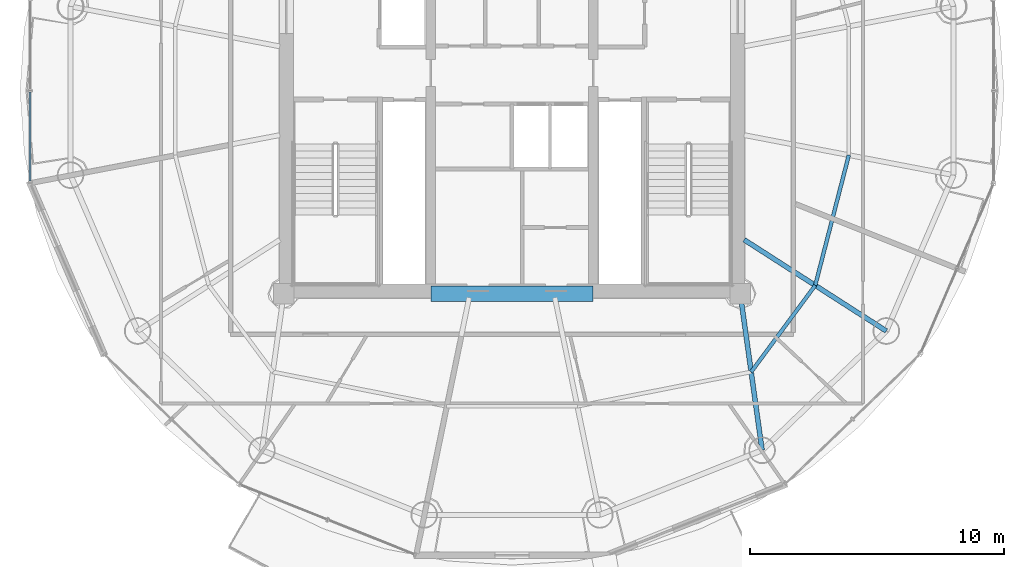
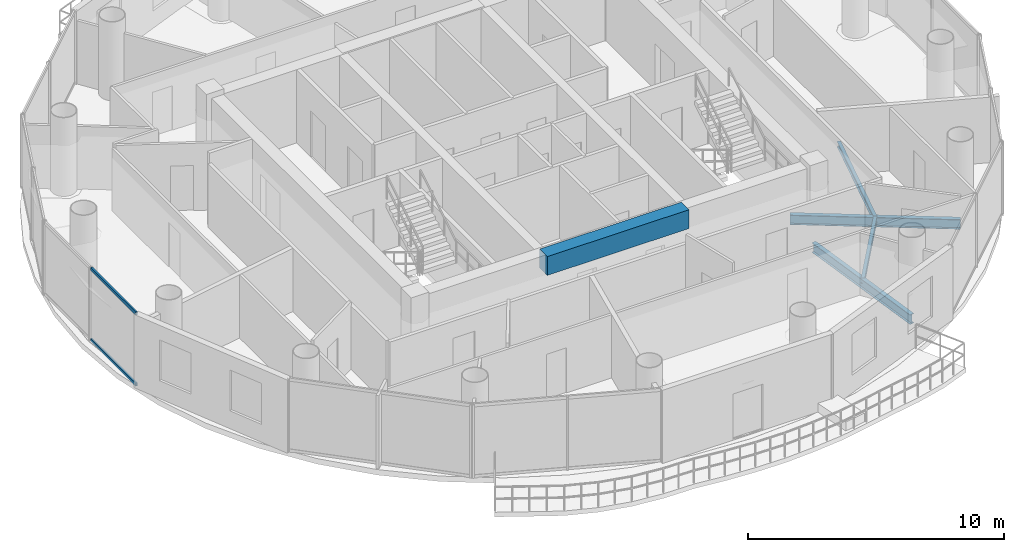
# One storey, part 7 of 23: 5 beams, 2 members, 1 element without a shape of its own.
"""IFC4 building model written with IfcOpenShell, lengths in metres."""

from ifc_helpers import new_model, si_unit, direction, frame, origin, origin_2d, place, context, subcontext, project, spatial, rectangle, hollow_rectangle, i_section, extrude, source, transform, mapped, material, material_profile, profile_set, type_object, element, aggregate, save


model = new_model("IFC4")

# Units and contexts
model_context = context("Model", 3, precision=1e-05, world=origin(), true_north=direction((-0.2419218956, 0.970295726276)))
body_context = subcontext(model_context, "Body", "Model", "MODEL_VIEW")
ifc_project = project(units=[si_unit("LENGTHUNIT", "METRE"), si_unit("AREAUNIT", "SQUARE_METRE"), si_unit("VOLUMEUNIT", "CUBIC_METRE"), si_unit("PLANEANGLEUNIT", "RADIAN"), si_unit("MASSUNIT", "GRAM", prefix="KILO")], contexts=[model_context])

# Site, building, storey
site_placement = place(None, origin())
site = spatial("IfcSite", under=ifc_project, at=site_placement, CompositionType="ELEMENT")
building_placement = place(site_placement, origin())
building = spatial("IfcBuilding", under=site, at=building_placement, Name="Cobrevalo Terracotta Tower", CompositionType="ELEMENT")
storey_placement = place(building_placement, frame((0.0, 0.0, 251.949951171875)))
storey = spatial("IfcBuildingStorey", under=building, at=storey_placement, Name="L66", CompositionType="ELEMENT", Elevation=251.949951171875)

# Beams
ifc_material_1 = material(Name="Concrete C60", Category="concrete")
ifc_material_profile_1 = material_profile(ifc_material_1, rectangle(XDim=0.60009765625, YDim=0.89990234375, at=origin_2d()), Name="RC CB 600x900")
ifc_profile_set_1 = profile_set([ifc_material_profile_1], Name="Concrete C60")
beam_type_1 = type_object("IfcBeamType", Name="Structural Beam RC CB 600x900 (Concrete C60)", PredefinedType="BEAM", material=ifc_profile_set_1)
beam_1_placement = place(storey_placement, frame((34.800048828125, 18.800048828125, 3.0400390625), z_axis=(1.0, 0.0, 0.0), x_axis=(0.0, 1.0, 0.0)))
element("IfcBeam", 1, at=beam_1_placement, inside=storey, type_object=beam_type_1, Name="L66 core coupling beam 1", PredefinedType="BEAM", context=body_context, shape_type="SweptSolid", body=[
    extrude(rectangle(XDim=0.60009765625, YDim=0.89990234375, at=origin_2d()), origin(), (0.0, 0.0, 1.0), 6.39990234375),
])
ifc_material_2 = material(Name="Steel S355", Category="steel")
ifc_material_profile_2 = material_profile(ifc_material_2, i_section(OverallWidth=0.19091796875, OverallDepth=0.4599609375, WebThickness=0.010009765625, FlangeThickness=0.01611328125, at=origin_2d()), Name="W 460x82")
ifc_profile_set_2 = profile_set([ifc_material_profile_2], Name="Steel S355")
beam_type_2 = type_object("IfcBeamType", Name="Structural Beam W 460x82 (Steel S355)", PredefinedType="BEAM", material=ifc_profile_set_2)
beam_2_placement = place(storey_placement, frame((47.861328125, 12.62353515625, -0.489990234375), z_axis=(-0.138115657759, 0.990416107039, 0.0), x_axis=(-0.990416107039, -0.138115657759, 0.0)))
element("IfcBeam", 2, at=beam_2_placement, inside=storey, type_object=beam_type_2, Name="L66 radial floor girder 14", PredefinedType="BEAM", context=body_context, shape_type="SweptSolid", body=[
    extrude(i_section(OverallWidth=0.19091796875, OverallDepth=0.4599609375, WebThickness=0.010009765625, FlangeThickness=0.01611328125, at=origin_2d()), origin(), (0.0, 0.0, 1.0), 6.236328125),
])
beam_3_placement = place(storey_placement, frame((52.758544921875, 17.32763671875, -0.489990234375), z_axis=(-0.84157615512, 0.540138477739, 0.0), x_axis=(-0.540138477739, -0.84157615512, 0.0)))
element("IfcBeam", 3, at=beam_3_placement, inside=storey, type_object=beam_type_2, Name="L66 radial floor girder 15", PredefinedType="BEAM", context=body_context, shape_type="SweptSolid", body=[
    extrude(i_section(OverallWidth=0.19091796875, OverallDepth=0.4599609375, WebThickness=0.010009765625, FlangeThickness=0.01611328125, at=origin_2d()), origin(), (0.0, 0.0, 1.0), 6.658447265625),
])
ifc_material_profile_3 = material_profile(ifc_material_2, i_section(OverallWidth=0.14794921875, OverallDepth=0.26611328125, WebThickness=0.007568359375, FlangeThickness=0.012939453125, at=origin_2d()), Name="W 250x44.8")
ifc_profile_set_3 = profile_set([ifc_material_profile_3], Name="Steel S355")
beam_type_3 = type_object("IfcBeamType", Name="Structural Joist W 250x44.8 (Steel S355)", PredefinedType="JOIST", material=ifc_profile_set_3)
beam_4_placement = place(storey_placement, frame((47.4306640625, 15.711669921875, -0.39306640625), z_axis=(0.594799916617, 0.803873783123, 0.0), x_axis=(-0.803873783123, 0.594799916617, 0.0)))
element("IfcBeam", 4, at=beam_4_placement, inside=storey, type_object=beam_type_3, Name="L66 circumferential secondary floor joist 14", PredefinedType="JOIST", context=body_context, shape_type="SweptSolid", body=[
    extrude(i_section(OverallWidth=0.14794921875, OverallDepth=0.26611328125, WebThickness=0.007568359375, FlangeThickness=0.012939453125, at=origin_2d()), origin(), (0.0, 0.0, 1.0), 4.2470703125),
])
beam_5_placement = place(storey_placement, frame((49.956787109375, 19.125732421875, -0.39306640625), z_axis=(0.249816773293, 0.968293126993, 0.0), x_axis=(-0.968293126993, 0.249816773293, 0.0)))
element("IfcBeam", 5, at=beam_5_placement, inside=storey, type_object=beam_type_3, Name="L66 circumferential secondary floor joist 15", PredefinedType="JOIST", context=body_context, shape_type="SweptSolid", body=[
    extrude(i_section(OverallWidth=0.14794921875, OverallDepth=0.26611328125, WebThickness=0.007568359375, FlangeThickness=0.012939453125, at=origin_2d()), origin(), (0.0, 0.0, 1.0), 5.3046875),
])

# Curtain wall, members
ifc_material_3 = material(Name="Anodized aluminium", Category="aluminium")
curtain_wall_type = type_object("IfcCurtainWallType", Name="Upper-tower triple-glazed penthouse curtain wall CW-U3", PredefinedType="NOTDEFINED", material=ifc_material_3)
curtain_wall_placement = place(storey_placement, origin())
curtain_wall = element("IfcCurtainWall", 6, at=curtain_wall_placement, inside=storey, type_object=curtain_wall_type, Name="L66 curtain wall CW-L66-S08", PredefinedType="NOTDEFINED")
ifc_material_profile_4 = material_profile(ifc_material_3, hollow_rectangle(XDim=0.074951171875, YDim=0.14990234375, WallThickness=0.00439453125, at=origin_2d()), Name="CWT 75x150")
ifc_profile_set_4 = profile_set([ifc_material_profile_4], Name="Anodized aluminium")
member_type = type_object("IfcMemberType", Name="Tower unitised aluminium transom 75x150", PredefinedType="USERDEFINED", material=ifc_profile_set_4)
shared_shape = source(origin(), body_context, "Body", "SweptSolid", [
    extrude(hollow_rectangle(XDim=0.074951171875, YDim=0.14990234375, WallThickness=0.00439453125, at=origin_2d()), origin(), (0.0, 0.0, 1.0), 3.5224609375),
])
member_1_placement = place(storey_placement, frame((19.002197265625, 26.760009765625, 0.050048828125), z_axis=(0.0, -1.0, 0.0), x_axis=(1.0, 0.0, 0.0)))
member_1 = element("IfcMember", 7, at=member_1_placement, type_object=member_type, Name="CW-L66-S08 transom B02-T1", ObjectType="TRANSOM", PredefinedType="USERDEFINED", context=body_context, shape_type="MappedRepresentation", body=[
    mapped(shared_shape, transform((0.0, 0.0, 0.0), scale=1.0)),
])
member_2_placement = place(storey_placement, frame((19.002197265625, 26.760009765625, 3.43994140625), z_axis=(0.0, -1.0, 0.0), x_axis=(1.0, 0.0, 0.0)))
member_2 = element("IfcMember", 8, at=member_2_placement, type_object=member_type, Name="CW-L66-S08 transom B02-T2", ObjectType="TRANSOM", PredefinedType="USERDEFINED", context=body_context, shape_type="MappedRepresentation", body=[
    mapped(shared_shape, transform((0.0, 0.0, 0.0), scale=1.0)),
])
aggregate(curtain_wall, [member_1, member_2])

save(model, "model.ifc")
